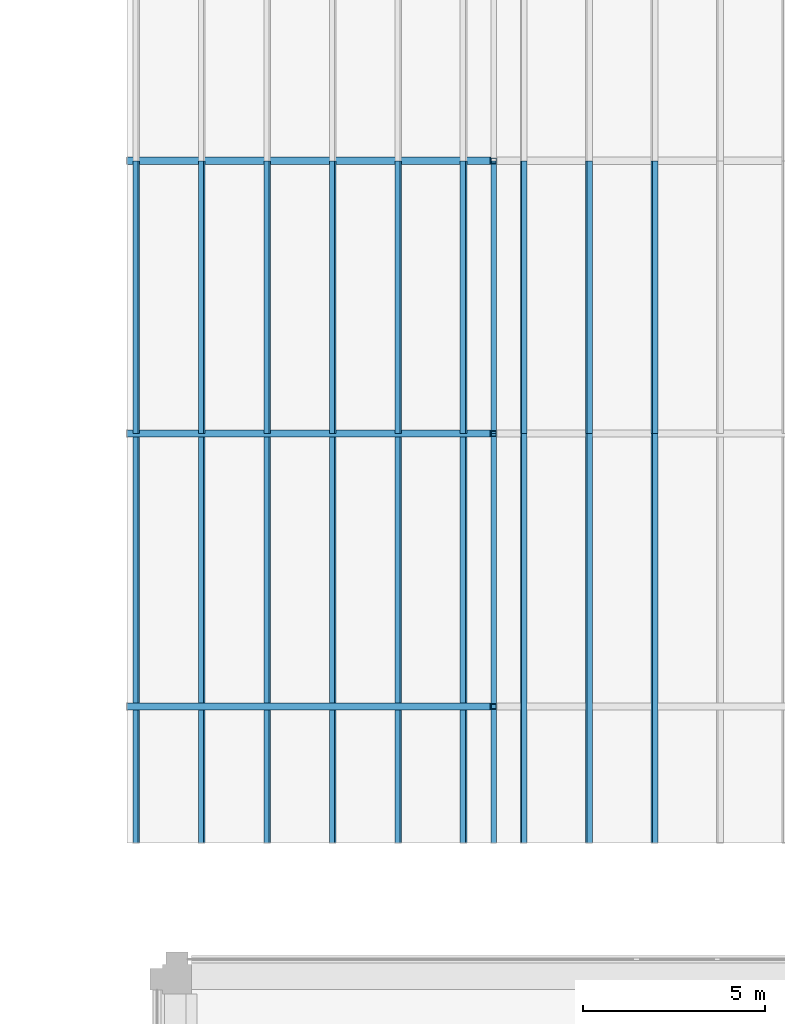
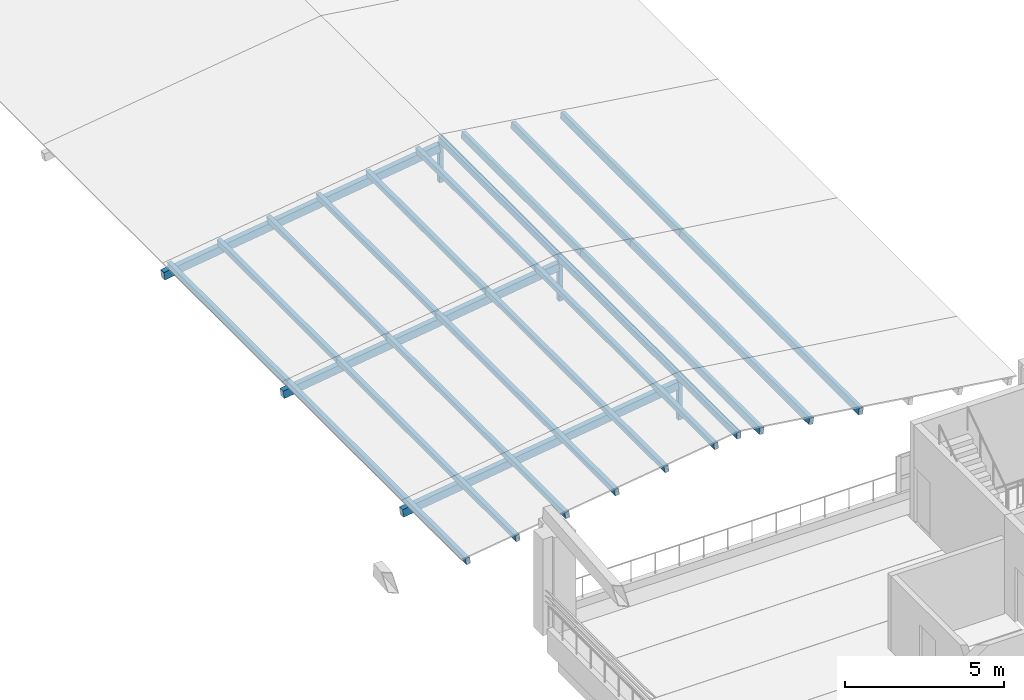
# One storey, part 16 of 52: 26 members.
"""IFC4 building model written with IfcOpenShell, lengths in metres."""

from ifc_helpers import new_model, si_unit, direction, frame, origin, origin_2d, place, context, subcontext, project, spatial, hollow_rectangle, extrude, material, material_profile, profile_set, type_object, element, save


model = new_model("IFC4")

# Units and contexts
model_context = context("Model", 3, precision=1e-05, world=origin(), true_north=direction((0.0, 1.0)))
body_context = subcontext(model_context, "Body", "Model", "MODEL_VIEW")
ifc_project = project(units=[si_unit("LENGTHUNIT", "METRE"), si_unit("AREAUNIT", "SQUARE_METRE"), si_unit("VOLUMEUNIT", "CUBIC_METRE"), si_unit("PLANEANGLEUNIT", "RADIAN"), si_unit("MASSUNIT", "GRAM", prefix="KILO")], contexts=[model_context])

# Site, building, storey
site_placement = place(None, origin())
site = spatial("IfcSite", under=ifc_project, at=site_placement, CompositionType="ELEMENT")
building_placement = place(site_placement, origin())
building = spatial("IfcBuilding", under=site, at=building_placement, Name="Cour d'Honneur Mobility Palace", CompositionType="ELEMENT")
storey_placement = place(building_placement, frame((0.0, 0.0, 23.0)))
storey = spatial("IfcBuildingStorey", under=building, at=storey_placement, Name="L06", CompositionType="ELEMENT", Elevation=23.0)

# Members
ifc_material_1 = material(Name="Steel S355", Category="steel")
ifc_material_profile_1 = material_profile(ifc_material_1, hollow_rectangle(XDim=0.14990234375, YDim=0.14990234375, WallThickness=0.008056640625, at=origin_2d()), Name="RHS 150x150x8")
ifc_profile_set_1 = profile_set([ifc_material_profile_1], Name="Steel S355")
member_type_1 = type_object("IfcMemberType", Name="Terrace king post RHS 150x150x8", PredefinedType="STRUT", material=ifc_profile_set_1)
for number, where, z_axis, x_axis, name in (
    (1, (153.60009765625, 69.89990234375, 0.300048828125), (0.0, 0.0, 1.0), (1.0, 0.0, 0.0), "Terrace king post TK-S1"),
    (2, (153.60009765625, 77.39990234375, 0.300048828125), (0.0, 0.0, 1.0), (1.0, 0.0, 0.0), "Terrace king post TK-S2"),
    (3, (153.60009765625, 84.89990234375, 0.300048828125), (0.0, 0.0, 1.0), (1.0, 0.0, 0.0), "Terrace king post TK-S3"),
):
    element("IfcMember", number, at=place(storey_placement, frame(where, z_axis=z_axis, x_axis=x_axis)), inside=storey, type_object=member_type_1, Name=name, PredefinedType="STRUT", context=body_context, shape_type="SweptSolid", body=[
        extrude(hollow_rectangle(XDim=0.14990234375, YDim=0.14990234375, WallThickness=0.008056640625, at=origin_2d()), origin(), (0.0, 0.0, 1.0), 1.5029296875),
    ])
ifc_material_2 = material(Name="Steel S355", Category="steel")
ifc_material_profile_2 = material_profile(ifc_material_2, hollow_rectangle(XDim=0.14990234375, YDim=0.25, WallThickness=0.010009765625, at=origin_2d()), Name="RHS 250x150x10")
ifc_profile_set_2 = profile_set([ifc_material_profile_2], Name="Steel S355")
member_type_2 = type_object("IfcMemberType", Name="Terrace purlin RHS 250x150x10", PredefinedType="PURLIN", material=ifc_profile_set_2)
member_1_placement = place(storey_placement, frame((143.77490234375, 66.14990234375, 0.55419921875), z_axis=(0.0, 1.0, 0.0), x_axis=(-0.990349673475, 0.0, -0.138591212736)))
element("IfcMember", 4, at=member_1_placement, inside=storey, type_object=member_type_2, Name="Terrace purlin TU-S1.1", PredefinedType="PURLIN", context=body_context, shape_type="SweptSolid", body=[
    extrude(hollow_rectangle(XDim=0.14990234375, YDim=0.25, WallThickness=0.010009765625, at=origin_2d()), origin(), (0.0, 0.0, 1.0), 11.25),
])
member_2_placement = place(storey_placement, frame((143.77490234375, 77.39990234375, 0.55419921875), z_axis=(0.0, 1.0, 0.0), x_axis=(-0.990349673475, 0.0, -0.138591212736)))
element("IfcMember", 5, at=member_2_placement, inside=storey, type_object=member_type_2, Name="Terrace purlin TU-S1.2", PredefinedType="PURLIN", context=body_context, shape_type="SweptSolid", body=[
    extrude(hollow_rectangle(XDim=0.14990234375, YDim=0.25, WallThickness=0.010009765625, at=origin_2d()), origin(), (0.0, 0.0, 1.0), 7.5),
])
member_3_placement = place(storey_placement, frame((145.574951171875, 66.14990234375, 0.80615234375), z_axis=(0.0, 1.0, 0.0), x_axis=(-0.990349673475, 0.0, -0.138591212736)))
element("IfcMember", 6, at=member_3_placement, inside=storey, type_object=member_type_2, Name="Terrace purlin TU-S2.1", PredefinedType="PURLIN", context=body_context, shape_type="SweptSolid", body=[
    extrude(hollow_rectangle(XDim=0.14990234375, YDim=0.25, WallThickness=0.010009765625, at=origin_2d()), origin(), (0.0, 0.0, 1.0), 11.25),
])
member_4_placement = place(storey_placement, frame((145.574951171875, 77.39990234375, 0.80615234375), z_axis=(0.0, 1.0, 0.0), x_axis=(-0.990349673475, 0.0, -0.138591212736)))
element("IfcMember", 7, at=member_4_placement, inside=storey, type_object=member_type_2, Name="Terrace purlin TU-S2.2", PredefinedType="PURLIN", context=body_context, shape_type="SweptSolid", body=[
    extrude(hollow_rectangle(XDim=0.14990234375, YDim=0.25, WallThickness=0.010009765625, at=origin_2d()), origin(), (0.0, 0.0, 1.0), 7.5),
])
member_5_placement = place(storey_placement, frame((147.375, 66.14990234375, 1.05810546875), z_axis=(0.0, 1.0, 0.0), x_axis=(-0.990349673475, 0.0, -0.138591212736)))
element("IfcMember", 8, at=member_5_placement, inside=storey, type_object=member_type_2, Name="Terrace purlin TU-S3.1", PredefinedType="PURLIN", context=body_context, shape_type="SweptSolid", body=[
    extrude(hollow_rectangle(XDim=0.14990234375, YDim=0.25, WallThickness=0.010009765625, at=origin_2d()), origin(), (0.0, 0.0, 1.0), 11.25),
])
member_6_placement = place(storey_placement, frame((147.375, 77.39990234375, 1.05810546875), z_axis=(0.0, 1.0, 0.0), x_axis=(-0.990349673475, 0.0, -0.138591212736)))
element("IfcMember", 9, at=member_6_placement, inside=storey, type_object=member_type_2, Name="Terrace purlin TU-S3.2", PredefinedType="PURLIN", context=body_context, shape_type="SweptSolid", body=[
    extrude(hollow_rectangle(XDim=0.14990234375, YDim=0.25, WallThickness=0.010009765625, at=origin_2d()), origin(), (0.0, 0.0, 1.0), 7.5),
])
member_7_placement = place(storey_placement, frame((149.175048828125, 66.14990234375, 1.309814453125), z_axis=(0.0, 1.0, 0.0), x_axis=(-0.990349673475, 0.0, -0.138591212736)))
element("IfcMember", 10, at=member_7_placement, inside=storey, type_object=member_type_2, Name="Terrace purlin TU-S4.1", PredefinedType="PURLIN", context=body_context, shape_type="SweptSolid", body=[
    extrude(hollow_rectangle(XDim=0.14990234375, YDim=0.25, WallThickness=0.010009765625, at=origin_2d()), origin(), (0.0, 0.0, 1.0), 11.25),
])
member_8_placement = place(storey_placement, frame((149.175048828125, 77.39990234375, 1.309814453125), z_axis=(0.0, 1.0, 0.0), x_axis=(-0.990349673475, 0.0, -0.138591212736)))
element("IfcMember", 11, at=member_8_placement, inside=storey, type_object=member_type_2, Name="Terrace purlin TU-S4.2", PredefinedType="PURLIN", context=body_context, shape_type="SweptSolid", body=[
    extrude(hollow_rectangle(XDim=0.14990234375, YDim=0.25, WallThickness=0.010009765625, at=origin_2d()), origin(), (0.0, 0.0, 1.0), 7.5),
])
member_9_placement = place(storey_placement, frame((150.97509765625, 66.14990234375, 1.561767578125), z_axis=(0.0, 1.0, 0.0), x_axis=(-0.990349673475, 0.0, -0.138591212736)))
element("IfcMember", 12, at=member_9_placement, inside=storey, type_object=member_type_2, Name="Terrace purlin TU-S5.1", PredefinedType="PURLIN", context=body_context, shape_type="SweptSolid", body=[
    extrude(hollow_rectangle(XDim=0.14990234375, YDim=0.25, WallThickness=0.010009765625, at=origin_2d()), origin(), (0.0, 0.0, 1.0), 11.25),
])
member_10_placement = place(storey_placement, frame((150.97509765625, 77.39990234375, 1.561767578125), z_axis=(0.0, 1.0, 0.0), x_axis=(-0.990349673475, 0.0, -0.138591212736)))
element("IfcMember", 13, at=member_10_placement, inside=storey, type_object=member_type_2, Name="Terrace purlin TU-S5.2", PredefinedType="PURLIN", context=body_context, shape_type="SweptSolid", body=[
    extrude(hollow_rectangle(XDim=0.14990234375, YDim=0.25, WallThickness=0.010009765625, at=origin_2d()), origin(), (0.0, 0.0, 1.0), 7.5),
])
member_11_placement = place(storey_placement, frame((152.77490234375, 66.14990234375, 1.813720703125), z_axis=(0.0, 1.0, 0.0), x_axis=(-0.990349673475, 0.0, -0.138591212736)))
element("IfcMember", 14, at=member_11_placement, inside=storey, type_object=member_type_2, Name="Terrace purlin TU-S6.1", PredefinedType="PURLIN", context=body_context, shape_type="SweptSolid", body=[
    extrude(hollow_rectangle(XDim=0.14990234375, YDim=0.25, WallThickness=0.010009765625, at=origin_2d()), origin(), (0.0, 0.0, 1.0), 11.25),
])
member_12_placement = place(storey_placement, frame((152.77490234375, 77.39990234375, 1.813720703125), z_axis=(0.0, 1.0, 0.0), x_axis=(-0.990349673475, 0.0, -0.138591212736)))
element("IfcMember", 15, at=member_12_placement, inside=storey, type_object=member_type_2, Name="Terrace purlin TU-S6.2", PredefinedType="PURLIN", context=body_context, shape_type="SweptSolid", body=[
    extrude(hollow_rectangle(XDim=0.14990234375, YDim=0.25, WallThickness=0.010009765625, at=origin_2d()), origin(), (0.0, 0.0, 1.0), 7.5),
])
member_13_placement = place(storey_placement, frame((158.02490234375, 66.14990234375, 1.309814453125), z_axis=(0.0, 1.0, 0.0), x_axis=(-0.990349673475, 0.0, 0.138591212736)))
element("IfcMember", 16, at=member_13_placement, inside=storey, type_object=member_type_2, Name="Terrace purlin TU-S10.1", PredefinedType="PURLIN", context=body_context, shape_type="SweptSolid", body=[
    extrude(hollow_rectangle(XDim=0.14990234375, YDim=0.25, WallThickness=0.010009765625, at=origin_2d()), origin(), (0.0, 0.0, 1.0), 11.25),
])
member_14_placement = place(storey_placement, frame((158.02490234375, 77.39990234375, 1.309814453125), z_axis=(0.0, 1.0, 0.0), x_axis=(-0.990349673475, 0.0, 0.138591212736)))
element("IfcMember", 17, at=member_14_placement, inside=storey, type_object=member_type_2, Name="Terrace purlin TU-S10.2", PredefinedType="PURLIN", context=body_context, shape_type="SweptSolid", body=[
    extrude(hollow_rectangle(XDim=0.14990234375, YDim=0.25, WallThickness=0.010009765625, at=origin_2d()), origin(), (0.0, 0.0, 1.0), 7.5),
])
member_15_placement = place(storey_placement, frame((156.22509765625, 66.14990234375, 1.561767578125), z_axis=(0.0, 1.0, 0.0), x_axis=(-0.990349673475, 0.0, 0.138591212736)))
element("IfcMember", 18, at=member_15_placement, inside=storey, type_object=member_type_2, Name="Terrace purlin TU-S11.1", PredefinedType="PURLIN", context=body_context, shape_type="SweptSolid", body=[
    extrude(hollow_rectangle(XDim=0.14990234375, YDim=0.25, WallThickness=0.010009765625, at=origin_2d()), origin(), (0.0, 0.0, 1.0), 11.25),
])
member_16_placement = place(storey_placement, frame((156.22509765625, 77.39990234375, 1.561767578125), z_axis=(0.0, 1.0, 0.0), x_axis=(-0.990349673475, 0.0, 0.138591212736)))
element("IfcMember", 19, at=member_16_placement, inside=storey, type_object=member_type_2, Name="Terrace purlin TU-S11.2", PredefinedType="PURLIN", context=body_context, shape_type="SweptSolid", body=[
    extrude(hollow_rectangle(XDim=0.14990234375, YDim=0.25, WallThickness=0.010009765625, at=origin_2d()), origin(), (0.0, 0.0, 1.0), 7.5),
])
member_17_placement = place(storey_placement, frame((154.425048828125, 66.14990234375, 1.813720703125), z_axis=(0.0, 1.0, 0.0), x_axis=(-0.990349673475, 0.0, 0.138591212736)))
element("IfcMember", 20, at=member_17_placement, inside=storey, type_object=member_type_2, Name="Terrace purlin TU-S12.1", PredefinedType="PURLIN", context=body_context, shape_type="SweptSolid", body=[
    extrude(hollow_rectangle(XDim=0.14990234375, YDim=0.25, WallThickness=0.010009765625, at=origin_2d()), origin(), (0.0, 0.0, 1.0), 11.25),
])
member_18_placement = place(storey_placement, frame((154.425048828125, 77.39990234375, 1.813720703125), z_axis=(0.0, 1.0, 0.0), x_axis=(-0.990349673475, 0.0, 0.138591212736)))
element("IfcMember", 21, at=member_18_placement, inside=storey, type_object=member_type_2, Name="Terrace purlin TU-S12.2", PredefinedType="PURLIN", context=body_context, shape_type="SweptSolid", body=[
    extrude(hollow_rectangle(XDim=0.14990234375, YDim=0.25, WallThickness=0.010009765625, at=origin_2d()), origin(), (0.0, 0.0, 1.0), 7.5),
])
member_19_placement = place(storey_placement, frame((153.60009765625, 66.14990234375, 1.927978515625), z_axis=(0.0, 1.0, 0.0), x_axis=(-1.0, 0.0, 0.0)))
element("IfcMember", 22, at=member_19_placement, inside=storey, type_object=member_type_2, Name="Terrace purlin TU-S13.1", PredefinedType="PURLIN", context=body_context, shape_type="SweptSolid", body=[
    extrude(hollow_rectangle(XDim=0.14990234375, YDim=0.25, WallThickness=0.010009765625, at=origin_2d()), origin(), (0.0, 0.0, 1.0), 11.25),
])
member_20_placement = place(storey_placement, frame((153.60009765625, 77.39990234375, 1.927978515625), z_axis=(0.0, 1.0, 0.0), x_axis=(-1.0, 0.0, 0.0)))
element("IfcMember", 23, at=member_20_placement, inside=storey, type_object=member_type_2, Name="Terrace purlin TU-S13.2", PredefinedType="PURLIN", context=body_context, shape_type="SweptSolid", body=[
    extrude(hollow_rectangle(XDim=0.14990234375, YDim=0.25, WallThickness=0.010009765625, at=origin_2d()), origin(), (0.0, 0.0, 1.0), 7.5),
])
ifc_material_3 = material(Name="Steel S355", Category="steel")
ifc_material_profile_3 = material_profile(ifc_material_3, hollow_rectangle(XDim=0.199951171875, YDim=0.300048828125, WallThickness=0.012451171875, at=origin_2d()), Name="RHS 300x200x12.5")
ifc_profile_set_3 = profile_set([ifc_material_profile_3], Name="Steel S355")
member_type_3 = type_object("IfcMemberType", Name="Terrace rafter RHS 300x200x12.5", PredefinedType="RAFTER", material=ifc_profile_set_3)
for number, where, z_axis, x_axis, name in (
    (24, (143.52490234375, 69.89990234375, 0.241455078125), (0.990349712833, 0.0, 0.138590931493), (0.0, 1.0, 0.0), "Terrace rafter TF-S1W"),
    (25, (143.52490234375, 77.39990234375, 0.241455078125), (0.990349712833, 0.0, 0.138590931493), (0.0, 1.0, 0.0), "Terrace rafter TF-S2W"),
    (26, (143.52490234375, 84.89990234375, 0.241455078125), (0.990349712833, 0.0, 0.138590931493), (0.0, 1.0, 0.0), "Terrace rafter TF-S3W"),
):
    element("IfcMember", number, at=place(storey_placement, frame(where, z_axis=z_axis, x_axis=x_axis)), inside=storey, type_object=member_type_3, Name=name, PredefinedType="RAFTER", context=body_context, shape_type="SweptSolid", body=[
        extrude(hollow_rectangle(XDim=0.199951171875, YDim=0.300048828125, WallThickness=0.012451171875, at=origin_2d()), origin(), (0.0, 0.0, 1.0), 10.097412109375),
    ])

save(model, "model.ifc")
